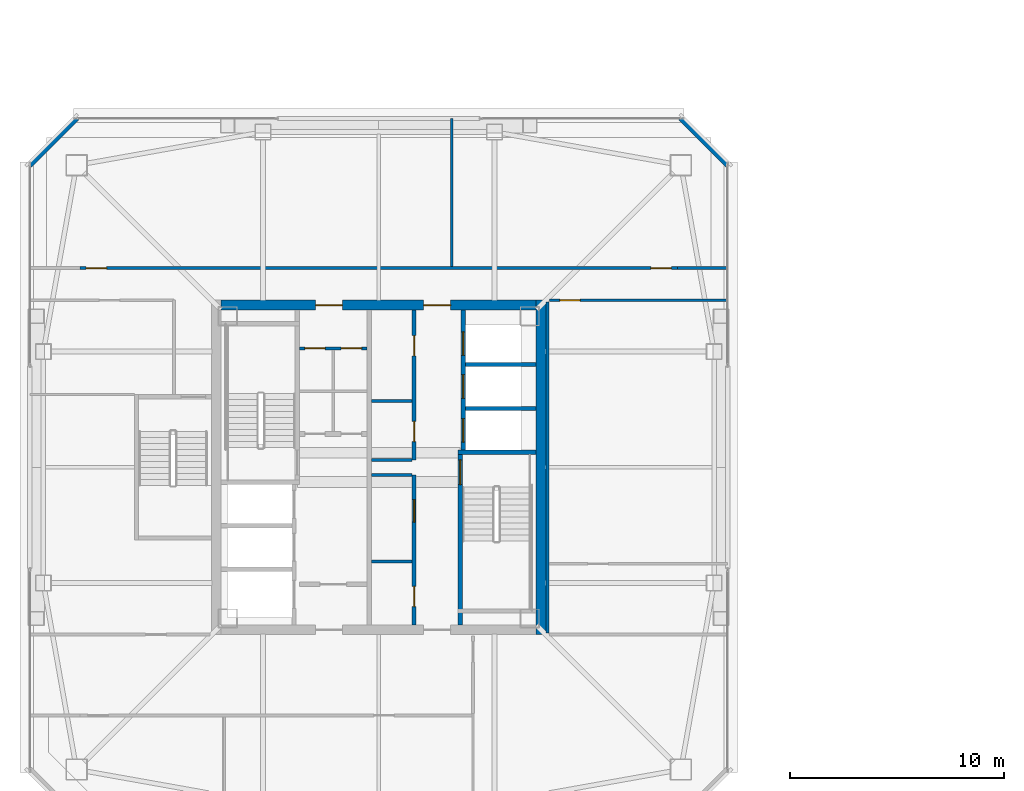
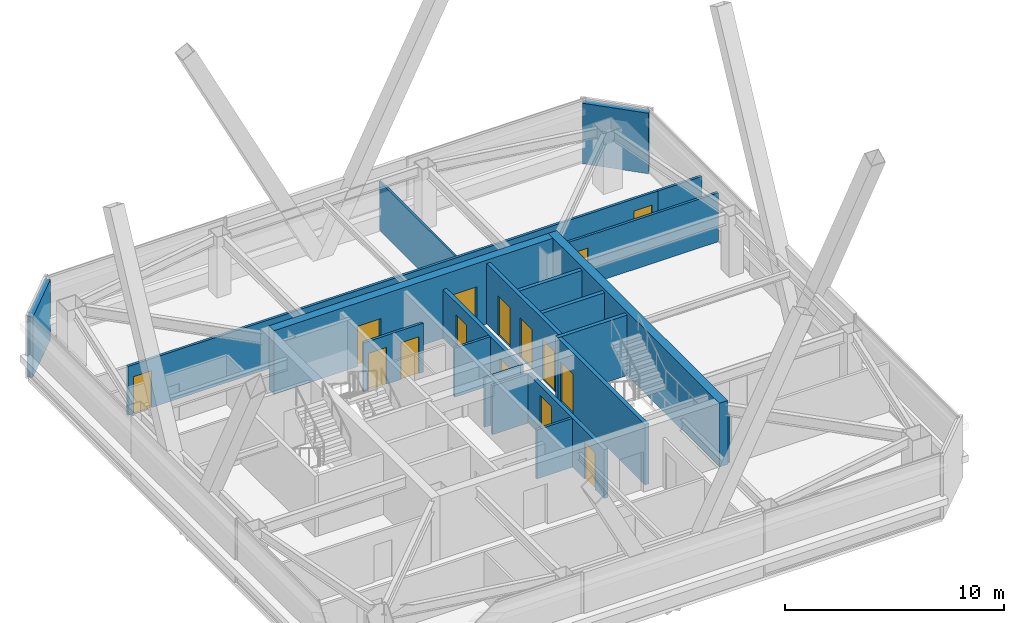
# One storey, part 38 of 47: 21 walls, 15 doors, 15 openings.
"""IFC4 building model written with IfcOpenShell, lengths in metres."""

from ifc_helpers import new_model, si_unit, direction, frame, frame_2d, origin, place, context, subcontext, project, spatial, rectangle, extrude, material, layer, layer_set, type_object, element, fill, save


model = new_model("IFC4")

# Units and contexts
model_context = context("Model", 3, precision=1e-05, world=origin(), true_north=direction((0.0, 1.0)))
body_context = subcontext(model_context, "Body", "Model", "MODEL_VIEW")
ifc_project = project(units=[si_unit("LENGTHUNIT", "METRE"), si_unit("AREAUNIT", "SQUARE_METRE"), si_unit("VOLUMEUNIT", "CUBIC_METRE"), si_unit("PLANEANGLEUNIT", "RADIAN"), si_unit("MASSUNIT", "GRAM", prefix="KILO")], contexts=[model_context])

# Site, building, storey
site_placement = place(None, origin())
site = spatial("IfcSite", under=ifc_project, at=site_placement, CompositionType="ELEMENT")
building_placement = place(site_placement, origin())
building = spatial("IfcBuilding", under=site, at=building_placement, Name="Tashvorn Skyway Center", CompositionType="ELEMENT")
storey_placement = place(building_placement, frame((0.0, 0.0, 204.199951171875)))
storey = spatial("IfcBuildingStorey", under=building, at=storey_placement, Name="L55", CompositionType="ELEMENT", Elevation=204.199951171875)

# Wall
ifc_material_1 = material(Name="Concrete C50/60", Category="concrete")
ifc_layer_1 = layer(ifc_material_1, 0.449951171875)
ifc_layer_set_1 = layer_set([ifc_layer_1], Name="Concrete C50/60")
wall_type_1 = type_object("IfcWallType", Name="WALL-CORE-450", PredefinedType="SHEAR", material=ifc_layer_set_1)
wall_1_placement = place(storey_placement, frame((49.574951171875, 39.800048828125, 0.0), z_axis=(0.0, 0.0, 1.0), x_axis=(0.0, -1.0, 0.0)))
element("IfcWall", 1, at=wall_1_placement, inside=storey, type_object=wall_type_1, Name="Tower 1 L55 East Core Shear Wall", PredefinedType="SHEAR", context=body_context, shape_type="SweptSolid", body=[
    extrude(rectangle(XDim=15.60009765625, YDim=0.449951171875, at=frame_2d((7.800048828125, 0.0))), origin(), (0.0, 0.0, 1.0), 3.550048828125),
])

# Wall, openings, doors
wall_2_placement = place(storey_placement, frame((34.64990234375, 39.574951171875, 0.0), z_axis=(0.0, 0.0, 1.0), x_axis=(1.0, 0.0, 0.0)))
wall_2 = element("IfcWall", 2, at=wall_2_placement, inside=storey, type_object=wall_type_1, Name="Tower 1 L55 North Core Shear Wall", PredefinedType="SHEAR", context=body_context, shape_type="SweptSolid", body=[
    extrude(rectangle(XDim=14.7001953125, YDim=0.449951171875, at=frame_2d((7.35009765625, 0.0))), origin(), (0.0, 0.0, 1.0), 3.550048828125),
])
opening_1_placement = place(wall_2_placement, frame((4.39990234375, 0.0, 0.0)))
opening_1 = element("IfcOpeningElement", 3, at=opening_1_placement, cuts=wall_2, Name="Opening D-FFL-1250", PredefinedType="OPENING", context=body_context, shape_type="SweptSolid", body=[
    extrude(rectangle(XDim=1.25, YDim=2.25, at=frame_2d((0.625, 1.125))), frame((0.0, 0.23486328125, 0.0), z_axis=(0.0, -1.0, 0.0), x_axis=(1.0, 0.0, 0.0)), (0.0, 0.0, 1.0), 0.469970703125),
])
opening_2_placement = place(wall_2_placement, frame((9.449951171875, 0.0, 0.0)))
opening_2 = element("IfcOpeningElement", 4, at=opening_2_placement, cuts=wall_2, Name="Opening D-FFL-1250", PredefinedType="OPENING", context=body_context, shape_type="SweptSolid", body=[
    extrude(rectangle(XDim=1.25, YDim=2.25, at=frame_2d((0.625, 1.125))), frame((0.0, 0.23486328125, 0.0), z_axis=(0.0, -1.0, 0.0), x_axis=(1.0, 0.0, 0.0)), (0.0, 0.0, 1.0), 0.469970703125),
])
ifc_material_2 = material(Name="Hollow galvanized steel fire door assembly", Category="steel")
door_type_1 = type_object("IfcDoorType", Name="DOOR-FFL-1250", OperationType="NOTDEFINED", PredefinedType="DOOR", material=ifc_material_2)
door_1_placement = place(opening_1_placement, origin())
door_1 = element("IfcDoor", 5, at=door_1_placement, inside=storey, type_object=door_type_1, Name="Tower 1 L55 Core North Service Lobby Door", OperationType="SINGLE_SWING_LEFT", OverallHeight=2.25, OverallWidth=1.25, PredefinedType="DOOR", context=body_context, shape_type="SweptSolid", body=[
    extrude(rectangle(XDim=1.25, YDim=2.25, at=frame_2d((0.625, 1.125))), frame((0.0, 0.02490234375, 0.0), z_axis=(0.0, -1.0, 0.0), x_axis=(1.0, 0.0, 0.0)), (0.0, 0.0, 1.0), 0.050048828125),
])
fill(opening_1, door_1)
door_2_placement = place(opening_2_placement, origin())
door_2 = element("IfcDoor", 6, at=door_2_placement, inside=storey, type_object=door_type_1, Name="Tower 1 L55 Core North Lift Lobby Door", OperationType="SINGLE_SWING_RIGHT", OverallHeight=2.25, OverallWidth=1.25, PredefinedType="DOOR", context=body_context, shape_type="SweptSolid", body=[
    extrude(rectangle(XDim=1.25, YDim=2.25, at=frame_2d((0.625, 1.125))), frame((0.0, 0.02490234375, 0.0), z_axis=(0.0, -1.0, 0.0), x_axis=(1.0, 0.0, 0.0)), (0.0, 0.0, 1.0), 0.050048828125),
])
fill(opening_2, door_2)

# Walls
ifc_material_3 = material(Name="Precast concrete C40/50", Category="concrete")
ifc_layer_2 = layer(ifc_material_3, 0.280029296875)
ifc_layer_set_2 = layer_set([ifc_layer_2], Name="Precast concrete C40/50")
wall_type_2 = type_object("IfcWallType", Name="WALL-EXT-280", PredefinedType="SOLIDWALL", material=ifc_layer_set_2)
for number, where, z_axis, x_axis, name in (
    (7, (25.699951171875, 46.10009765625, 0.0), (0.0, 0.0, 1.0), (0.707106781187, 0.707106781187, 0.0), "Tower 1 L55 NW Precast Chamfer Wall"),
    (8, (56.10009765625, 48.300048828125, 0.0), (0.0, 0.0, 1.0), (0.707106781187, -0.707106781187, 0.0), "Tower 1 L55 NE Precast Chamfer Wall"),
):
    element("IfcWall", number, at=place(storey_placement, frame(where, z_axis=z_axis, x_axis=x_axis)), inside=storey, type_object=wall_type_2, Name=name, PredefinedType="SOLIDWALL", context=body_context, shape_type="SweptSolid", body=[
        extrude(rectangle(XDim=3.111083984375, YDim=0.280029296875, at=frame_2d((1.5556640625, 0.0))), origin(), (0.0, 0.0, 1.0), 3.3701171875),
    ])
ifc_material_4 = material(Name="Gypsum board on cold-formed steel stud framing", Category="steel")
ifc_layer_3 = layer(ifc_material_4, 0.110107421875)
ifc_layer_set_3 = layer_set([ifc_layer_3], Name="Gypsum board on cold-formed steel stud framing")
wall_type_3 = type_object("IfcWallType", Name="WALL-PART-110", PredefinedType="PARTITIONING", material=ifc_layer_set_3)
wall_3_placement = place(storey_placement, frame((45.39990234375, 41.3798828125, 0.0), z_axis=(0.0, 0.0, 1.0), x_axis=(0.0, 1.0, 0.0)))
element("IfcWall", 9, at=wall_3_placement, inside=storey, type_object=wall_type_3, Name="Tower 1 L55 North Suite Partition 1", PredefinedType="PARTITIONING", context=body_context, shape_type="SweptSolid", body=[
    extrude(rectangle(XDim=6.900146484375, YDim=0.110107421875, at=frame_2d((3.4501953125, 0.0))), origin(), (0.0, 0.0, 1.0), 2.72314453125),
])

# Wall, openings, doors
ifc_layer_4 = layer(ifc_material_4, 0.135009765625)
ifc_layer_set_4 = layer_set([ifc_layer_4], Name="Gypsum board on cold-formed steel stud framing")
wall_type_4 = type_object("IfcWallType", Name="WALL-PART-135", PredefinedType="PARTITIONING", material=ifc_layer_set_4)
wall_4_placement = place(storey_placement, frame((28.050048828125, 41.300048828125, 0.0), z_axis=(0.0, 0.0, 1.0), x_axis=(1.0, 0.0, 0.0)))
wall_4 = element("IfcWall", 10, at=wall_4_placement, inside=storey, type_object=wall_type_4, Name="Tower 1 L55 North Suite Wall", PredefinedType="PARTITIONING", context=body_context, shape_type="SweptSolid", body=[
    extrude(rectangle(XDim=27.89990234375, YDim=0.135009765625, at=frame_2d((13.949951171875, 0.0))), origin(), (0.0, 0.0, 1.0), 2.72314453125),
])
opening_3_placement = place(wall_4_placement, frame((0.300048828125, 0.0, 0.0)))
opening_3 = element("IfcOpeningElement", 11, at=opening_3_placement, cuts=wall_4, Name="Opening D-INT-950", PredefinedType="OPENING", context=body_context, shape_type="SweptSolid", body=[
    extrude(rectangle(XDim=0.949951171875, YDim=2.050048828125, at=frame_2d((0.47509765625, 1.02490234375))), frame((0.0, 0.077392578125, 0.0), z_axis=(0.0, -1.0, 0.0), x_axis=(1.0, 0.0, 0.0)), (0.0, 0.0, 1.0), 0.155029296875),
])
opening_4_placement = place(wall_4_placement, frame((26.64990234375, 0.0, 0.0)))
opening_4 = element("IfcOpeningElement", 12, at=opening_4_placement, cuts=wall_4, Name="Opening D-INT-950", PredefinedType="OPENING", context=body_context, shape_type="SweptSolid", body=[
    extrude(rectangle(XDim=0.949951171875, YDim=2.050048828125, at=frame_2d((0.47509765625, 1.02490234375))), frame((0.0, 0.077392578125, 0.0), z_axis=(0.0, -1.0, 0.0), x_axis=(1.0, 0.0, 0.0)), (0.0, 0.0, 1.0), 0.155029296875),
])
ifc_material_5 = material(Name="Solid-core architectural oak veneer door")
door_type_2 = type_object("IfcDoorType", Name="DOOR-INT-950", OperationType="NOTDEFINED", PredefinedType="DOOR", material=ifc_material_5)
door_3_placement = place(opening_3_placement, origin())
door_3 = element("IfcDoor", 13, at=door_3_placement, inside=storey, type_object=door_type_2, Name="Tower 1 L55 Wellness Clinic Door", OperationType="SINGLE_SWING_RIGHT", OverallHeight=2.050048828125, OverallWidth=0.949951171875, PredefinedType="DOOR", context=body_context, shape_type="SweptSolid", body=[
    extrude(rectangle(XDim=0.949951171875, YDim=2.050048828125, at=frame_2d((0.47509765625, 1.02490234375))), frame((0.0, 0.02490234375, 0.0), z_axis=(0.0, -1.0, 0.0), x_axis=(1.0, 0.0, 0.0)), (0.0, 0.0, 1.0), 0.050048828125),
])
fill(opening_3, door_3)
door_4_placement = place(opening_4_placement, origin())
door_4 = element("IfcDoor", 14, at=door_4_placement, inside=storey, type_object=door_type_2, Name="Tower 1 L55 Wellness Clinic Door", OperationType="SINGLE_SWING_LEFT", OverallHeight=2.050048828125, OverallWidth=0.949951171875, PredefinedType="DOOR", context=body_context, shape_type="SweptSolid", body=[
    extrude(rectangle(XDim=0.949951171875, YDim=2.050048828125, at=frame_2d((0.47509765625, 1.02490234375))), frame((0.0, 0.02490234375, 0.0), z_axis=(0.0, -1.0, 0.0), x_axis=(1.0, 0.0, 0.0)), (0.0, 0.0, 1.0), 0.050048828125),
])
fill(opening_4, door_4)

# Walls
wall_5_placement = place(storey_placement, frame((55.949951171875, 41.300048828125, 0.0), z_axis=(0.0, 0.0, 1.0), x_axis=(1.0, 0.0, 0.0)))
element("IfcWall", 15, at=wall_5_placement, inside=storey, type_object=wall_type_4, Name="Tower 1 L55 North-East Suite South Wall", PredefinedType="PARTITIONING", context=body_context, shape_type="SweptSolid", body=[
    extrude(rectangle(XDim=2.330078125, YDim=0.135009765625, at=frame_2d((1.1650390625, 0.0))), origin(), (0.0, 0.0, 1.0), 2.72314453125),
])
wall_6_placement = place(storey_placement, frame((49.8798828125, 39.719970703125, 0.0), z_axis=(0.0, 0.0, 1.0), x_axis=(0.0, -1.0, 0.0)))
element("IfcWall", 16, at=wall_6_placement, inside=storey, type_object=wall_type_4, Name="Tower 1 L55 East Inner Suite Wall", PredefinedType="PARTITIONING", context=body_context, shape_type="SweptSolid", body=[
    extrude(rectangle(XDim=15.43994140625, YDim=0.135009765625, at=frame_2d((7.719970703125, 0.0))), origin(), (0.0, 0.0, 1.0), 2.72314453125),
])

# Wall, opening, door
wall_7_placement = place(storey_placement, frame((58.280029296875, 39.800048828125, 0.0), z_axis=(0.0, 0.0, 1.0), x_axis=(-1.0, 0.0, 0.0)))
wall_7 = element("IfcWall", 17, at=wall_7_placement, inside=storey, type_object=wall_type_4, Name="Tower 1 L55 East Suite North Wall", PredefinedType="PARTITIONING", context=body_context, shape_type="SweptSolid", body=[
    extrude(rectangle(XDim=8.320068359375, YDim=0.135009765625, at=frame_2d((4.16015625, 0.0))), origin(), (0.0, 0.0, 1.0), 2.72314453125),
])
opening_5_placement = place(wall_7_placement, frame((6.8798828125, 0.0, 0.0)))
opening_5 = element("IfcOpeningElement", 18, at=opening_5_placement, cuts=wall_7, Name="Opening D-INT-950", PredefinedType="OPENING", context=body_context, shape_type="SweptSolid", body=[
    extrude(rectangle(XDim=0.949951171875, YDim=2.050048828125, at=frame_2d((0.47509765625, 1.02490234375))), frame((0.0, 0.077392578125, 0.0), z_axis=(0.0, -1.0, 0.0), x_axis=(1.0, 0.0, 0.0)), (0.0, 0.0, 1.0), 0.155029296875),
])
door_5_placement = place(opening_5_placement, origin())
door_5 = element("IfcDoor", 19, at=door_5_placement, inside=storey, type_object=door_type_2, Name="Tower 1 L55 Operations Control Room Door", OperationType="SINGLE_SWING_LEFT", OverallHeight=2.050048828125, OverallWidth=0.949951171875, PredefinedType="DOOR", context=body_context, shape_type="SweptSolid", body=[
    extrude(rectangle(XDim=0.949951171875, YDim=2.050048828125, at=frame_2d((0.47509765625, 1.02490234375))), frame((0.0, 0.02490234375, 0.0), z_axis=(0.0, -1.0, 0.0), x_axis=(1.0, 0.0, 0.0)), (0.0, 0.0, 1.0), 0.050048828125),
])
fill(opening_5, door_5)

# Wall, openings, doors
ifc_layer_5 = layer(ifc_material_4, 0.135009765625)
ifc_layer_set_5 = layer_set([ifc_layer_5], Name="Gypsum board on cold-formed steel stud framing")
wall_type_5 = type_object("IfcWallType", Name="WALL-RATED-135", PredefinedType="PARTITIONING", material=ifc_layer_set_5)
wall_8_placement = place(storey_placement, frame((38.300048828125, 37.550048828125, 0.0), z_axis=(0.0, 0.0, 1.0), x_axis=(1.0, 0.0, 0.0)))
wall_8 = element("IfcWall", 20, at=wall_8_placement, inside=storey, type_object=wall_type_5, Name="Tower 1 L55 Core Service Lobby Wall", PredefinedType="PARTITIONING", context=body_context, shape_type="SweptSolid", body=[
    extrude(rectangle(XDim=3.14990234375, YDim=0.135009765625, at=frame_2d((1.574951171875, 0.0))), origin(), (0.0, 0.0, 1.0), 2.72314453125),
])
opening_6_placement = place(wall_8_placement, frame((0.25, 0.0, 0.0)))
opening_6 = element("IfcOpeningElement", 21, at=opening_6_placement, cuts=wall_8, Name="Opening D-RT-950", PredefinedType="OPENING", context=body_context, shape_type="SweptSolid", body=[
    extrude(rectangle(XDim=0.949951171875, YDim=2.050048828125, at=frame_2d((0.47509765625, 1.02490234375))), frame((0.0, 0.077392578125, 0.0), z_axis=(0.0, -1.0, 0.0), x_axis=(1.0, 0.0, 0.0)), (0.0, 0.0, 1.0), 0.155029296875),
])
opening_7_placement = place(wall_8_placement, frame((1.949951171875, 0.0, 0.0)))
opening_7 = element("IfcOpeningElement", 22, at=opening_7_placement, cuts=wall_8, Name="Opening D-RT-950", PredefinedType="OPENING", context=body_context, shape_type="SweptSolid", body=[
    extrude(rectangle(XDim=0.949951171875, YDim=2.050048828125, at=frame_2d((0.47509765625, 1.02490234375))), frame((0.0, 0.077392578125, 0.0), z_axis=(0.0, -1.0, 0.0), x_axis=(1.0, 0.0, 0.0)), (0.0, 0.0, 1.0), 0.155029296875),
])
door_type_3 = type_object("IfcDoorType", Name="DOOR-RATED-950", OperationType="NOTDEFINED", PredefinedType="DOOR", material=ifc_material_2)
door_6_placement = place(opening_6_placement, origin())
door_6 = element("IfcDoor", 23, at=door_6_placement, inside=storey, type_object=door_type_3, Name="Tower 1 L55 Core Cleaner Store Door", OperationType="SINGLE_SWING_LEFT", OverallHeight=2.050048828125, OverallWidth=0.949951171875, PredefinedType="DOOR", context=body_context, shape_type="SweptSolid", body=[
    extrude(rectangle(XDim=0.949951171875, YDim=2.050048828125, at=frame_2d((0.47509765625, 1.02490234375))), frame((0.0, 0.02490234375, 0.0), z_axis=(0.0, -1.0, 0.0), x_axis=(1.0, 0.0, 0.0)), (0.0, 0.0, 1.0), 0.050048828125),
])
fill(opening_6, door_6)
door_7_placement = place(opening_7_placement, origin())
door_7 = element("IfcDoor", 24, at=door_7_placement, inside=storey, type_object=door_type_3, Name="Tower 1 L55 Core Accessible WC Door", OperationType="SINGLE_SWING_RIGHT", OverallHeight=2.050048828125, OverallWidth=0.949951171875, PredefinedType="DOOR", context=body_context, shape_type="SweptSolid", body=[
    extrude(rectangle(XDim=0.949951171875, YDim=2.050048828125, at=frame_2d((0.47509765625, 1.02490234375))), frame((0.0, 0.02490234375, 0.0), z_axis=(0.0, -1.0, 0.0), x_axis=(1.0, 0.0, 0.0)), (0.0, 0.0, 1.0), 0.050048828125),
])
fill(opening_7, door_7)

# Walls
for number, where, z_axis, x_axis, name in (
    (25, (41.669921875, 31.64990234375, 0.0), (0.0, 0.0, 1.0), (1.0, 0.0, 0.0), "Tower 1 L55 Core Room Partition"),
    (26, (41.669921875, 27.60009765625, 0.0), (0.0, 0.0, 1.0), (1.0, 0.0, 0.0), "Tower 1 L55 Freed Core Partition"),
    (27, (41.669921875, 32.35009765625, 0.0), (0.0, 0.0, 1.0), (1.0, 0.0, 0.0), "Tower 1 L55 Core Room Partition"),
    (28, (41.669921875, 35.10009765625, 0.0), (0.0, 0.0, 1.0), (1.0, 0.0, 0.0), "Tower 1 L55 Freed Mid-Rise Partition"),
):
    element("IfcWall", number, at=place(storey_placement, frame(where, z_axis=z_axis, x_axis=x_axis)), inside=storey, type_object=wall_type_5, Name=name, PredefinedType="PARTITIONING", context=body_context, shape_type="SweptSolid", body=[
        extrude(rectangle(XDim=1.880126953125, YDim=0.135009765625, at=frame_2d((0.93994140625, 0.0))), origin(), (0.0, 0.0, 1.0), 2.72314453125),
    ])
ifc_material_6 = material(Name="Concrete C40/50", Category="concrete")
ifc_layer_6 = layer(ifc_material_6, 0.199951171875)
ifc_layer_set_6 = layer_set([ifc_layer_6], Name="Concrete C40/50")
wall_type_6 = type_object("IfcWallType", Name="WALL-SHAFT-200", PredefinedType="SOLIDWALL", material=ifc_layer_set_6)
for number, where, z_axis, x_axis, name in (
    (29, (46.050048828125, 34.75, 0.0), (0.0, 0.0, 1.0), (1.0, 0.0, 0.0), "Tower 1 L55 High-Rise Shaft Divider"),
    (30, (46.050048828125, 36.800048828125, 0.0), (0.0, 0.0, 1.0), (1.0, 0.0, 0.0), "Tower 1 L55 High-Rise Shaft Divider"),
):
    element("IfcWall", number, at=place(storey_placement, frame(where, z_axis=z_axis, x_axis=x_axis)), inside=storey, type_object=wall_type_6, Name=name, PredefinedType="SOLIDWALL", context=body_context, shape_type="SweptSolid", body=[
        extrude(rectangle(XDim=3.300048828125, YDim=0.199951171875, at=frame_2d((1.64990234375, 0.0))), origin(), (0.0, 0.0, 1.0), 3.3701171875),
    ])

# Wall, openings, doors
wall_9_placement = place(storey_placement, frame((43.64990234375, 24.64990234375, 0.0), z_axis=(0.0, 0.0, 1.0), x_axis=(0.0, 1.0, 0.0)))
wall_9 = element("IfcWall", 31, at=wall_9_placement, inside=storey, type_object=wall_type_6, Name="Tower 1 L55 Low-Rise Core Wall", PredefinedType="SOLIDWALL", context=body_context, shape_type="SweptSolid", body=[
    extrude(rectangle(XDim=7.0, YDim=0.199951171875, at=frame_2d((3.5, 0.0))), origin(), (0.0, 0.0, 1.0), 2.72314453125),
])
opening_8_placement = place(wall_9_placement, frame((0.85009765625, 0.0, 0.0)))
opening_8 = element("IfcOpeningElement", 32, at=opening_8_placement, cuts=wall_9, Name="Opening D-RT-950", PredefinedType="OPENING", context=body_context, shape_type="SweptSolid", body=[
    extrude(rectangle(XDim=0.949951171875, YDim=2.050048828125, at=frame_2d((0.47509765625, 1.02490234375))), frame((0.0, 0.10986328125, 0.0), z_axis=(0.0, -1.0, 0.0), x_axis=(1.0, 0.0, 0.0)), (0.0, 0.0, 1.0), 0.219970703125),
])
opening_9_placement = place(wall_9_placement, frame((4.800048828125, 0.0, 0.0)))
opening_9 = element("IfcOpeningElement", 33, at=opening_9_placement, cuts=wall_9, Name="Opening D-RT-1050", PredefinedType="OPENING", context=body_context, shape_type="SweptSolid", body=[
    extrude(rectangle(XDim=1.050048828125, YDim=2.199951171875, at=frame_2d((0.52490234375, 1.10009765625))), frame((0.0, 0.10986328125, 0.0), z_axis=(0.0, -1.0, 0.0), x_axis=(1.0, 0.0, 0.0)), (0.0, 0.0, 1.0), 0.219970703125),
])
door_type_4 = type_object("IfcDoorType", Name="DOOR-RATED-1050", OperationType="NOTDEFINED", PredefinedType="DOOR", material=ifc_material_2)
door_8_placement = place(opening_9_placement, origin())
door_8 = element("IfcDoor", 34, at=door_8_placement, inside=storey, type_object=door_type_4, Name="Tower 1 L55 Freed Core Room Door", OperationType="SINGLE_SWING_RIGHT", OverallHeight=2.199951171875, OverallWidth=1.050048828125, PredefinedType="DOOR", context=body_context, shape_type="SweptSolid", body=[
    extrude(rectangle(XDim=1.050048828125, YDim=2.199951171875, at=frame_2d((0.52490234375, 1.10009765625))), frame((0.0, 0.02490234375, 0.0), z_axis=(0.0, -1.0, 0.0), x_axis=(1.0, 0.0, 0.0)), (0.0, 0.0, 1.0), 0.050048828125),
])
fill(opening_9, door_8)
door_9_placement = place(opening_8_placement, origin())
door_9 = element("IfcDoor", 35, at=door_9_placement, inside=storey, type_object=door_type_3, Name="Tower 1 L55 Core Print Room Door", OperationType="SINGLE_SWING_LEFT", OverallHeight=2.050048828125, OverallWidth=0.949951171875, PredefinedType="DOOR", context=body_context, shape_type="SweptSolid", body=[
    extrude(rectangle(XDim=0.949951171875, YDim=2.050048828125, at=frame_2d((0.47509765625, 1.02490234375))), frame((0.0, 0.02490234375, 0.0), z_axis=(0.0, -1.0, 0.0), x_axis=(1.0, 0.0, 0.0)), (0.0, 0.0, 1.0), 0.050048828125),
])
fill(opening_8, door_9)

wall_10_placement = place(storey_placement, frame((43.64990234375, 32.35009765625, 0.0), z_axis=(0.0, 0.0, 1.0), x_axis=(0.0, 1.0, 0.0)))
wall_10 = element("IfcWall", 36, at=wall_10_placement, inside=storey, type_object=wall_type_6, Name="Tower 1 L55 Mid-Rise Core Wall", PredefinedType="SOLIDWALL", context=body_context, shape_type="SweptSolid", body=[
    extrude(rectangle(XDim=7.0, YDim=0.199951171875, at=frame_2d((3.5, 0.0))), origin(), (0.0, 0.0, 1.0), 2.72314453125),
])
opening_10_placement = place(wall_10_placement, frame((0.85009765625, 0.0, 0.0)))
opening_10 = element("IfcOpeningElement", 37, at=opening_10_placement, cuts=wall_10, Name="Opening D-RT-950", PredefinedType="OPENING", context=body_context, shape_type="SweptSolid", body=[
    extrude(rectangle(XDim=0.949951171875, YDim=2.050048828125, at=frame_2d((0.47509765625, 1.02490234375))), frame((0.0, 0.10986328125, 0.0), z_axis=(0.0, -1.0, 0.0), x_axis=(1.0, 0.0, 0.0)), (0.0, 0.0, 1.0), 0.219970703125),
])
opening_11_placement = place(wall_10_placement, frame((4.85009765625, 0.0, 0.0)))
opening_11 = element("IfcOpeningElement", 38, at=opening_11_placement, cuts=wall_10, Name="Opening D-RT-950", PredefinedType="OPENING", context=body_context, shape_type="SweptSolid", body=[
    extrude(rectangle(XDim=0.949951171875, YDim=2.050048828125, at=frame_2d((0.47509765625, 1.02490234375))), frame((0.0, 0.10986328125, 0.0), z_axis=(0.0, -1.0, 0.0), x_axis=(1.0, 0.0, 0.0)), (0.0, 0.0, 1.0), 0.219970703125),
])
door_10_placement = place(opening_10_placement, origin())
door_10 = element("IfcDoor", 39, at=door_10_placement, inside=storey, type_object=door_type_3, Name="Tower 1 L55 Core IT Room Door", OperationType="SINGLE_SWING_RIGHT", OverallHeight=2.050048828125, OverallWidth=0.949951171875, PredefinedType="DOOR", context=body_context, shape_type="SweptSolid", body=[
    extrude(rectangle(XDim=0.949951171875, YDim=2.050048828125, at=frame_2d((0.47509765625, 1.02490234375))), frame((0.0, 0.02490234375, 0.0), z_axis=(0.0, -1.0, 0.0), x_axis=(1.0, 0.0, 0.0)), (0.0, 0.0, 1.0), 0.050048828125),
])
fill(opening_10, door_10)
door_11_placement = place(opening_11_placement, origin())
door_11 = element("IfcDoor", 40, at=door_11_placement, inside=storey, type_object=door_type_3, Name="Tower 1 L55 Core Catering Pantry Door", OperationType="SINGLE_SWING_LEFT", OverallHeight=2.050048828125, OverallWidth=0.949951171875, PredefinedType="DOOR", context=body_context, shape_type="SweptSolid", body=[
    extrude(rectangle(XDim=0.949951171875, YDim=2.050048828125, at=frame_2d((0.47509765625, 1.02490234375))), frame((0.0, 0.02490234375, 0.0), z_axis=(0.0, -1.0, 0.0), x_axis=(1.0, 0.0, 0.0)), (0.0, 0.0, 1.0), 0.050048828125),
])
fill(opening_11, door_11)

# Wall, opening, door
ifc_layer_7 = layer(ifc_material_6, 0.199951171875)
ifc_layer_set_7 = layer_set([ifc_layer_7], Name="Concrete C40/50")
wall_type_7 = type_object("IfcWallType", Name="WALL-STSHF-200", PredefinedType="SHEAR", material=ifc_layer_set_7)
wall_11_placement = place(storey_placement, frame((45.800048828125, 32.800048828125, 0.0), z_axis=(0.0, 0.0, 1.0), x_axis=(0.0, -1.0, 0.0)))
wall_11 = element("IfcWall", 41, at=wall_11_placement, inside=storey, type_object=wall_type_7, Name="Tower 1 L55 Stair 2 Enclosure Wall", PredefinedType="SHEAR", context=body_context, shape_type="SweptSolid", body=[
    extrude(rectangle(XDim=8.150146484375, YDim=0.199951171875, at=frame_2d((4.0751953125, 0.0))), origin(), (0.0, 0.0, 1.0), 3.3701171875),
])
opening_12_placement = place(wall_11_placement, frame((0.449951171875, 0.0, 0.0)))
opening_12 = element("IfcOpeningElement", 42, at=opening_12_placement, cuts=wall_11, Name="Opening D-ST-1150", PredefinedType="OPENING", context=body_context, shape_type="SweptSolid", body=[
    extrude(rectangle(XDim=1.14990234375, YDim=2.199951171875, at=frame_2d((0.574951171875, 1.10009765625))), frame((0.0, 0.10986328125, 0.0), z_axis=(0.0, -1.0, 0.0), x_axis=(1.0, 0.0, 0.0)), (0.0, 0.0, 1.0), 0.219970703125),
])
door_type_5 = type_object("IfcDoorType", Name="DOOR-STAIR-1150", OperationType="NOTDEFINED", PredefinedType="DOOR", material=ifc_material_2)
door_12_placement = place(opening_12_placement, origin())
door_12 = element("IfcDoor", 43, at=door_12_placement, inside=storey, type_object=door_type_5, Name="Tower 1 L55 Exit Stair 2 Door", OperationType="SINGLE_SWING_RIGHT", OverallHeight=2.199951171875, OverallWidth=1.14990234375, PredefinedType="DOOR", context=body_context, shape_type="SweptSolid", body=[
    extrude(rectangle(XDim=1.14990234375, YDim=2.199951171875, at=frame_2d((0.574951171875, 1.10009765625))), frame((0.0, 0.02490234375, 0.0), z_axis=(0.0, -1.0, 0.0), x_axis=(1.0, 0.0, 0.0)), (0.0, 0.0, 1.0), 0.050048828125),
])
fill(opening_12, door_12)

# Wall
wall_12_placement = place(storey_placement, frame((45.699951171875, 32.699951171875, 0.0), z_axis=(0.0, 0.0, 1.0), x_axis=(1.0, 0.0, 0.0)))
element("IfcWall", 44, at=wall_12_placement, inside=storey, type_object=wall_type_7, Name="Tower 1 L55 Stair 2 North Wall", PredefinedType="SHEAR", context=body_context, shape_type="SweptSolid", body=[
    extrude(rectangle(XDim=3.650146484375, YDim=0.199951171875, at=frame_2d((1.8251953125, 0.0))), origin(), (0.0, 0.0, 1.0), 3.3701171875),
])

# Wall, openings, doors
wall_13_placement = place(storey_placement, frame((45.949951171875, 39.35009765625, 0.0), z_axis=(0.0, 0.0, 1.0), x_axis=(0.0, -1.0, 0.0)))
wall_13 = element("IfcWall", 45, at=wall_13_placement, inside=storey, type_object=wall_type_7, Name="Tower 1 L55 High-Rise Lift Shaft Front Wall", PredefinedType="SHEAR", context=body_context, shape_type="SweptSolid", body=[
    extrude(rectangle(XDim=6.550048828125, YDim=0.199951171875, at=frame_2d((3.27490234375, 0.0))), origin(), (0.0, 0.0, 1.0), 3.3701171875),
])
opening_13_placement = place(wall_13_placement, frame((5.074951171875, 0.0, 0.0)))
opening_13 = element("IfcOpeningElement", 46, at=opening_13_placement, cuts=wall_13, Name="Opening LD-HR-T1-1-L55", PredefinedType="OPENING", context=body_context, shape_type="SweptSolid", body=[
    extrude(rectangle(XDim=1.10009765625, YDim=2.199951171875, at=frame_2d((0.550048828125, 1.10009765625))), frame((0.0, 0.10986328125, 0.0), z_axis=(0.0, -1.0, 0.0), x_axis=(1.0, 0.0, 0.0)), (0.0, 0.0, 1.0), 0.219970703125),
])
opening_14_placement = place(wall_13_placement, frame((3.02490234375, 0.0, 0.0)))
opening_14 = element("IfcOpeningElement", 47, at=opening_14_placement, cuts=wall_13, Name="Opening LD-HR-T1-2-L55", PredefinedType="OPENING", context=body_context, shape_type="SweptSolid", body=[
    extrude(rectangle(XDim=1.10009765625, YDim=2.199951171875, at=frame_2d((0.550048828125, 1.10009765625))), frame((0.0, 0.10986328125, 0.0), z_axis=(0.0, -1.0, 0.0), x_axis=(1.0, 0.0, 0.0)), (0.0, 0.0, 1.0), 0.219970703125),
])
opening_15_placement = place(wall_13_placement, frame((1.02490234375, 0.0, 0.0)))
opening_15 = element("IfcOpeningElement", 48, at=opening_15_placement, cuts=wall_13, Name="Opening LD-HR-T1-3-L55", PredefinedType="OPENING", context=body_context, shape_type="SweptSolid", body=[
    extrude(rectangle(XDim=1.10009765625, YDim=2.199951171875, at=frame_2d((0.550048828125, 1.10009765625))), frame((0.0, 0.10986328125, 0.0), z_axis=(0.0, -1.0, 0.0), x_axis=(1.0, 0.0, 0.0)), (0.0, 0.0, 1.0), 0.219970703125),
])
ifc_material_7 = material(Name="Stainless steel landing door", Category="steel")
door_type_6 = type_object("IfcDoorType", Name="DOOR-LIFT-1100", OperationType="SLIDING_TO_LEFT", PredefinedType="DOOR", material=ifc_material_7)
door_13_placement = place(opening_13_placement, origin())
door_13 = element("IfcDoor", 49, at=door_13_placement, inside=storey, type_object=door_type_6, Name="Lift HR-T1-1 L55 Landing Door", OperationType="SLIDING_TO_LEFT", OverallHeight=2.199951171875, OverallWidth=1.10009765625, PredefinedType="DOOR", context=body_context, shape_type="SweptSolid", body=[
    extrude(rectangle(XDim=1.10009765625, YDim=2.199951171875, at=frame_2d((0.550048828125, 1.10009765625))), frame((0.0, 0.02490234375, 0.0), z_axis=(0.0, -1.0, 0.0), x_axis=(1.0, 0.0, 0.0)), (0.0, 0.0, 1.0), 0.050048828125),
])
fill(opening_13, door_13)
door_14_placement = place(opening_14_placement, origin())
door_14 = element("IfcDoor", 50, at=door_14_placement, inside=storey, type_object=door_type_6, Name="Lift HR-T1-2 L55 Landing Door", OperationType="SLIDING_TO_LEFT", OverallHeight=2.199951171875, OverallWidth=1.10009765625, PredefinedType="DOOR", context=body_context, shape_type="SweptSolid", body=[
    extrude(rectangle(XDim=1.10009765625, YDim=2.199951171875, at=frame_2d((0.550048828125, 1.10009765625))), frame((0.0, 0.02490234375, 0.0), z_axis=(0.0, -1.0, 0.0), x_axis=(1.0, 0.0, 0.0)), (0.0, 0.0, 1.0), 0.050048828125),
])
fill(opening_14, door_14)
door_15_placement = place(opening_15_placement, origin())
door_15 = element("IfcDoor", 51, at=door_15_placement, inside=storey, type_object=door_type_6, Name="Lift HR-T1-3 L55 Landing Door", OperationType="SLIDING_TO_LEFT", OverallHeight=2.199951171875, OverallWidth=1.10009765625, PredefinedType="DOOR", context=body_context, shape_type="SweptSolid", body=[
    extrude(rectangle(XDim=1.10009765625, YDim=2.199951171875, at=frame_2d((0.550048828125, 1.10009765625))), frame((0.0, 0.02490234375, 0.0), z_axis=(0.0, -1.0, 0.0), x_axis=(1.0, 0.0, 0.0)), (0.0, 0.0, 1.0), 0.050048828125),
])
fill(opening_15, door_15)

save(model, "model.ifc")
